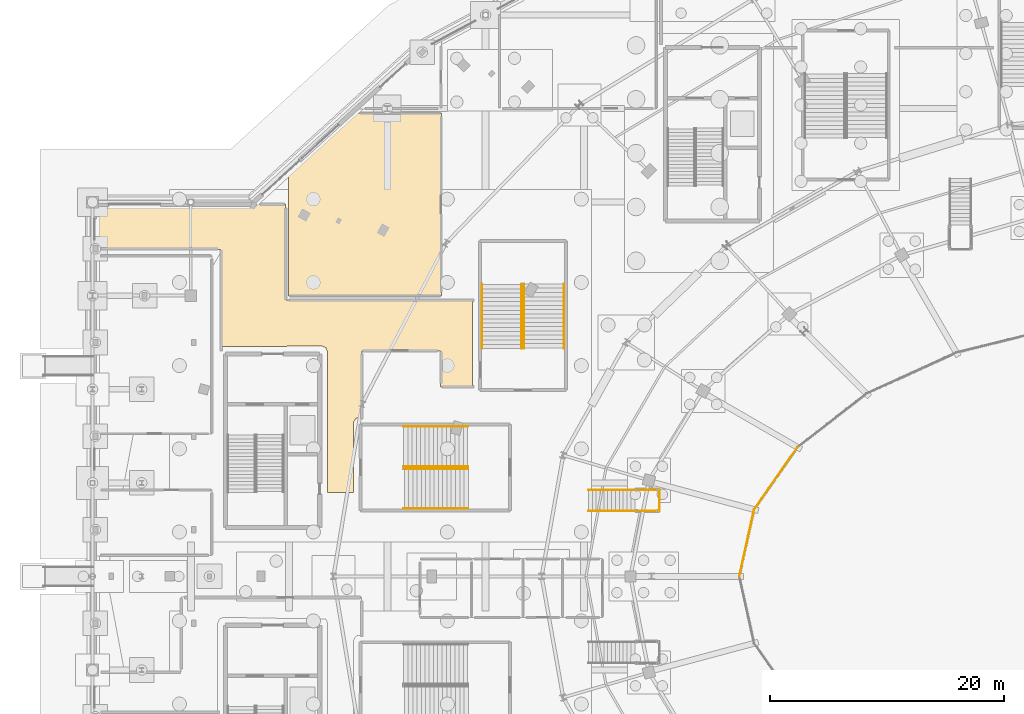
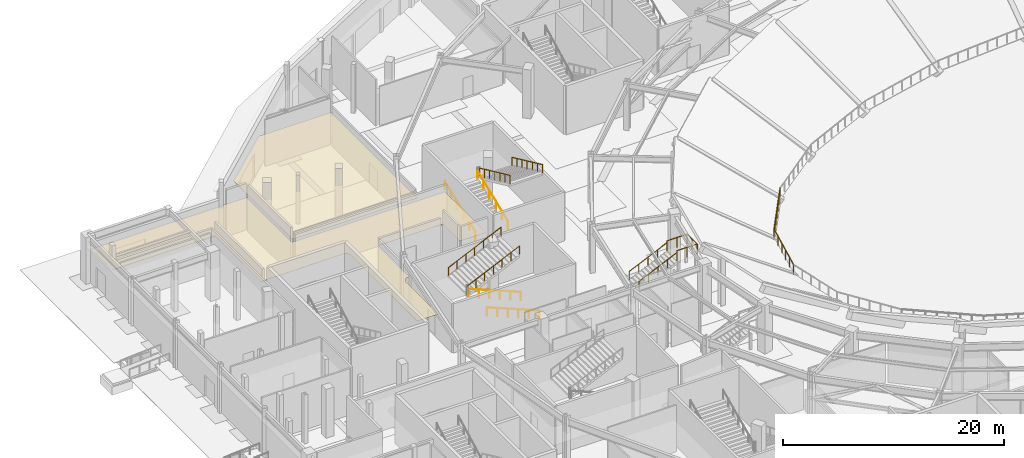
# One storey, part 77 of 93: 15 railings, 2 coverings.
"""IFC4 building model written with IfcOpenShell, lengths in metres."""

from ifc_helpers import new_model, si_unit, direction, frame, origin, origin_2d, place, context, subcontext, project, spatial, polyline, circle, outline, extrude, material, layer, layer_set, type_object, element, save


model = new_model("IFC4")

# Units and contexts
model_context = context("Model", 3, precision=1e-05, world=origin(), true_north=direction((0.0, 1.0)))
body_context = subcontext(model_context, "Body", "Model", "MODEL_VIEW")
ifc_project = project(units=[si_unit("LENGTHUNIT", "METRE"), si_unit("AREAUNIT", "SQUARE_METRE"), si_unit("VOLUMEUNIT", "CUBIC_METRE"), si_unit("PLANEANGLEUNIT", "RADIAN"), si_unit("MASSUNIT", "GRAM", prefix="KILO")], contexts=[model_context])

# Site, building, storey
site_placement = place(None, origin())
site = spatial("IfcSite", under=ifc_project, at=site_placement, CompositionType="ELEMENT")
building_placement = place(site_placement, origin())
building = spatial("IfcBuilding", under=site, at=building_placement, Name="Kalgoora Escarpment Arena", CompositionType="ELEMENT")
storey_placement = place(building_placement, origin())
storey = spatial("IfcBuildingStorey", under=building, at=storey_placement, Name="L00", CompositionType="ELEMENT", Elevation=0.0)

# Coverings
ifc_material_1 = material(Name="Perforated acoustic mineral-fibre ceiling tile")
ifc_layer = layer(ifc_material_1, 0.02490234375)
ifc_layer_set = layer_set([ifc_layer], Name="COV-CEIL-ACOUSTIC")
covering_type = type_object("IfcCoveringType", Name="COV-CEIL-ACOUSTIC", PredefinedType="CEILING", material=ifc_layer_set)
covering_1_placement = place(storey_placement, frame((0.0, 0.0, 3.47998046875)))
element("IfcCovering", 1, at=covering_1_placement, inside=storey, type_object=covering_type, Name="L00 Central Kitchen Commissary acoustic suspended ceiling", PredefinedType="CEILING", context=body_context, shape_type="SweptSolid", body=[
    extrude(outline(polyline([(29.839111328125, 87.9921875), (16.7646484375, 87.981201171875), (16.760009765625, 98.67578125), (22.205078125, 103.639892578125), (29.835205078125, 103.618896484375), (29.839111328125, 87.9921875)])), origin(), (0.0, 0.0, 1.0), 0.02490234375),
])
covering_2_placement = place(storey_placement, frame((0.0, 0.0, 3.47998046875)))
element("IfcCovering", 2, at=covering_2_placement, inside=storey, type_object=covering_type, Name="L00 North-West Protected Exit Passageway acoustic suspended ceiling", PredefinedType="CEILING", context=body_context, shape_type="SweptSolid", body=[
    extrude(outline(polyline([(0.219970703125, 91.9599609375), (0.199951171875, 95.800048828125), (16.515380859375, 95.8369140625), (16.5400390625, 87.639892578125), (32.5, 87.639892578125), (32.5, 80.159912109375), (29.76904296875, 80.174560546875), (29.760009765625, 83.260009765625), (23.0400390625, 83.260009765625), (23.0400390625, 77.60009765625), (22.522216796875, 77.515625), (22.302490234375, 77.14892578125), (22.300048828125, 71.159912109375), (20.10009765625, 71.159912109375), (20.10009765625, 83.199951171875), (19.95361328125, 83.5537109375), (19.60009765625, 83.699951171875), (10.9599609375, 83.638427734375), (10.9599609375, 91.9599609375), (0.219970703125, 91.9599609375)])), origin(), (0.0, 0.0, 1.0), 0.02490234375),
])

# Railings
ifc_material_2 = material(Name="Galvanised & powdercoated tubular steel", Category="steel")
railing_type_1 = type_object("IfcRailingType", Name="RAL-GUARD-1120", PredefinedType="GUARDRAIL", material=ifc_material_2)
for number, where, name in (
    (3, (46.360107421875, 69.60009765625, 1.949951171875), "Vomitory VST10 landing guard L"),
    (4, (46.360107421875, 71.39990234375, 1.949951171875), "Vomitory VST10 landing guard R"),
):
    element("IfcRailing", number, at=place(storey_placement, frame(where)), inside=storey, type_object=railing_type_1, Name=name, PredefinedType="GUARDRAIL", context=body_context, shape_type="SweptSolid", body=[
        extrude(circle(Radius=0.02392578125, at=origin_2d()), frame((0.0, 0.0, 1.09619140625), z_axis=(1.0, 0.0, 0.0), x_axis=(0.0, 1.0, 0.0)), (0.0, 0.0, 1.0), 2.099853515625),
        extrude(circle(Radius=0.02099609375, at=origin_2d()), origin(), (0.0, 0.0, 1.0), 1.072021484375),
        extrude(circle(Radius=0.02099609375, at=origin_2d()), frame((1.0498046875, 0.0, 0.0)), (0.0, 0.0, 1.0), 1.072021484375),
        extrude(circle(Radius=0.02099609375, at=origin_2d()), frame((2.099853515625, 0.0, 0.0)), (0.0, 0.0, 1.0), 1.072021484375),
    ])
railing_1_placement = place(storey_placement, frame((48.4599609375, 69.580078125, 1.949951171875)))
element("IfcRailing", 5, at=railing_1_placement, inside=storey, type_object=railing_type_1, Name="Vomitory VST10 landing end guard", PredefinedType="GUARDRAIL", context=body_context, shape_type="SweptSolid", body=[
    extrude(circle(Radius=0.02392578125, at=origin_2d()), frame((0.0, 0.0, 1.09619140625), z_axis=(0.0, 1.0, 0.0), x_axis=(-1.0, 0.0, 0.0)), (0.0, 0.0, 1.0), 1.83984375),
    extrude(circle(Radius=0.02099609375, at=origin_2d()), origin(), (0.0, 0.0, 1.0), 1.072021484375),
    extrude(circle(Radius=0.02099609375, at=origin_2d()), frame((0.0, 0.919921875, 0.0)), (0.0, 0.0, 1.0), 1.072021484375),
    extrude(circle(Radius=0.02099609375, at=origin_2d()), frame((0.0, 1.83984375, 0.0)), (0.0, 0.0, 1.0), 1.072021484375),
])
railing_2_placement = place(storey_placement, frame((60.2705078125, 75.050048828125, 0.679931640625)))
element("IfcRailing", 6, at=railing_2_placement, inside=storey, type_object=railing_type_1, Name="Lower tier front sightline guard 11", PredefinedType="GUARDRAIL", context=body_context, shape_type="SweptSolid", body=[
    extrude(circle(Radius=0.02392578125, at=origin_2d()), frame((0.0, 0.0, 1.09619140625), z_axis=(-0.570900302793, -0.821019393359, 0.0), x_axis=(0.821019393359, -0.570900302793, 0.0)), (0.0, 0.0, 1.0), 6.491943359375),
    extrude(circle(Radius=0.02099609375, at=origin_2d()), origin(), (0.0, 0.0, 1.0), 1.072021484375),
    extrude(circle(Radius=0.02099609375, at=origin_2d()), frame((-0.61767578125, -0.888427734375, 0.0)), (0.0, 0.0, 1.0), 1.072021484375),
    extrude(circle(Radius=0.02099609375, at=origin_2d()), frame((-1.2353515625, -1.776611328125, 0.0)), (0.0, 0.0, 1.0), 1.072021484375),
    extrude(circle(Radius=0.02099609375, at=origin_2d()), frame((-1.85302734375, -2.6650390625, 0.0)), (0.0, 0.0, 1.0), 1.072021484375),
    extrude(circle(Radius=0.02099609375, at=origin_2d()), frame((-2.470947265625, -3.553466796875, 0.0)), (0.0, 0.0, 1.0), 1.072021484375),
    extrude(circle(Radius=0.02099609375, at=origin_2d()), frame((-3.088623046875, -4.441650390625, 0.0)), (0.0, 0.0, 1.0), 1.072021484375),
    extrude(circle(Radius=0.02099609375, at=origin_2d()), frame((-3.706298828125, -5.330078125, 0.0)), (0.0, 0.0, 1.0), 1.072021484375),
])
railing_3_placement = place(storey_placement, frame((56.564208984375, 69.719970703125, 0.679931640625)))
element("IfcRailing", 7, at=railing_3_placement, inside=storey, type_object=railing_type_1, Name="Lower tier front sightline guard 12", PredefinedType="GUARDRAIL", context=body_context, shape_type="SweptSolid", body=[
    extrude(circle(Radius=0.02392578125, at=origin_2d()), frame((0.0, 0.0, 1.09619140625), z_axis=(-0.21580063573, -0.97643744583, 0.0), x_axis=(0.97643744583, -0.21580063573, 0.0)), (0.0, 0.0, 1.0), 5.85791015625),
    extrude(circle(Radius=0.02099609375, at=origin_2d()), origin(), (0.0, 0.0, 1.0), 1.072021484375),
    extrude(circle(Radius=0.02099609375, at=origin_2d()), frame((-0.2529296875, -1.14404296875, 0.0)), (0.0, 0.0, 1.0), 1.072021484375),
    extrude(circle(Radius=0.02099609375, at=origin_2d()), frame((-0.505615234375, -2.2880859375, 0.0)), (0.0, 0.0, 1.0), 1.072021484375),
    extrude(circle(Radius=0.02099609375, at=origin_2d()), frame((-0.758544921875, -3.431884765625, 0.0)), (0.0, 0.0, 1.0), 1.072021484375),
    extrude(circle(Radius=0.02099609375, at=origin_2d()), frame((-1.01123046875, -4.575927734375, 0.0)), (0.0, 0.0, 1.0), 1.072021484375),
    extrude(circle(Radius=0.02099609375, at=origin_2d()), frame((-1.26416015625, -5.719970703125, 0.0)), (0.0, 0.0, 1.0), 1.072021484375),
])
ifc_material_3 = material(Name="Brushed stainless steel 316 handrail", Category="steel")
railing_type_2 = type_object("IfcRailingType", Name="RAL-HAND-920", PredefinedType="HANDRAIL", material=ifc_material_3)
for number, where, name in (
    (8, (32.110107421875, 69.800048828125, 0.388916015625), "ST17 L00 pitched stair handrail F1L"),
    (9, (32.110107421875, 73.18505859375, 0.388916015625), "ST17 L00 pitched stair handrail F1R"),
):
    element("IfcRailing", number, at=place(storey_placement, frame(where)), inside=storey, type_object=railing_type_2, Name=name, PredefinedType="HANDRAIL", context=body_context, shape_type="SweptSolid", body=[
        extrude(circle(Radius=0.02392578125, at=origin_2d()), frame((0.0, 0.0, 0.89599609375), z_axis=(-0.924430832969, 0.0, 0.381349754236), x_axis=(0.0, -1.0, 0.0)), (0.0, 0.0, 1.0), 5.955078125),
        extrude(circle(Radius=0.02099609375, at=origin_2d()), origin(), (0.0, 0.0, 1.0), 0.871826171875),
        extrude(circle(Radius=0.02099609375, at=origin_2d()), frame((-1.10107421875, 0.0, 0.4541015625)), (0.0, 0.0, 1.0), 0.871826171875),
        extrude(circle(Radius=0.02099609375, at=origin_2d()), frame((-2.2021484375, 0.0, 0.908447265625)), (0.0, 0.0, 1.0), 0.871826171875),
        extrude(circle(Radius=0.02099609375, at=origin_2d()), frame((-3.302978515625, 0.0, 1.362548828125)), (0.0, 0.0, 1.0), 0.871826171875),
        extrude(circle(Radius=0.02099609375, at=origin_2d()), frame((-4.404052734375, 0.0, 1.81689453125)), (0.0, 0.0, 1.0), 0.871826171875),
        extrude(circle(Radius=0.02099609375, at=origin_2d()), frame((-5.505126953125, 0.0, 2.27099609375)), (0.0, 0.0, 1.0), 0.871826171875),
    ])
for number, where, name in (
    (10, (26.60498046875, 73.4150390625, 2.828857421875), "ST17 L00 pitched stair handrail F2L"),
    (11, (26.60498046875, 76.800048828125, 2.828857421875), "ST17 L00 pitched stair handrail F2R"),
):
    element("IfcRailing", number, at=place(storey_placement, frame(where)), inside=storey, type_object=railing_type_2, Name=name, PredefinedType="HANDRAIL", context=body_context, shape_type="SweptSolid", body=[
        extrude(circle(Radius=0.02392578125, at=origin_2d()), frame((0.0, 0.0, 0.89599609375), z_axis=(0.908559891483, 0.0, 0.417754621265), x_axis=(0.0, 1.0, 0.0)), (0.0, 0.0, 1.0), 6.05908203125),
        extrude(circle(Radius=0.02099609375, at=origin_2d()), origin(), (0.0, 0.0, 1.0), 0.871826171875),
        extrude(circle(Radius=0.02099609375, at=origin_2d()), frame((0.91748046875, 0.0, 0.421875)), (0.0, 0.0, 1.0), 0.871826171875),
        extrude(circle(Radius=0.02099609375, at=origin_2d()), frame((1.8349609375, 0.0, 0.84375)), (0.0, 0.0, 1.0), 0.871826171875),
        extrude(circle(Radius=0.02099609375, at=origin_2d()), frame((2.75244140625, 0.0, 1.265625)), (0.0, 0.0, 1.0), 0.871826171875),
        extrude(circle(Radius=0.02099609375, at=origin_2d()), frame((3.670166015625, 0.0, 1.6875)), (0.0, 0.0, 1.0), 0.871826171875),
        extrude(circle(Radius=0.02099609375, at=origin_2d()), frame((4.587646484375, 0.0, 2.109375)), (0.0, 0.0, 1.0), 0.871826171875),
        extrude(circle(Radius=0.02099609375, at=origin_2d()), frame((5.505126953125, 0.0, 2.53125)), (0.0, 0.0, 1.0), 0.871826171875),
    ])
for number, where, name in (
    (12, (33.300048828125, 83.489990234375, 0.388916015625), "ST19 L00 pitched stair handrail F1L"),
    (13, (36.695068359375, 83.489990234375, 0.388916015625), "ST19 L00 pitched stair handrail F1R"),
):
    element("IfcRailing", number, at=place(storey_placement, frame(where)), inside=storey, type_object=railing_type_2, Name=name, PredefinedType="HANDRAIL", context=body_context, shape_type="SweptSolid", body=[
        extrude(circle(Radius=0.02392578125, at=origin_2d()), frame((0.0, 0.0, 0.89599609375), z_axis=(0.0, 0.924430832969, 0.381349754236), x_axis=(-1.0, 0.0, 0.0)), (0.0, 0.0, 1.0), 5.955078125),
        extrude(circle(Radius=0.02099609375, at=origin_2d()), origin(), (0.0, 0.0, 1.0), 0.871826171875),
        extrude(circle(Radius=0.02099609375, at=origin_2d()), frame((0.0, 1.10107421875, 0.4541015625)), (0.0, 0.0, 1.0), 0.871826171875),
        extrude(circle(Radius=0.02099609375, at=origin_2d()), frame((0.0, 2.2021484375, 0.908447265625)), (0.0, 0.0, 1.0), 0.871826171875),
        extrude(circle(Radius=0.02099609375, at=origin_2d()), frame((0.0, 3.302978515625, 1.362548828125)), (0.0, 0.0, 1.0), 0.871826171875),
        extrude(circle(Radius=0.02099609375, at=origin_2d()), frame((0.0, 4.404052734375, 1.81689453125)), (0.0, 0.0, 1.0), 0.871826171875),
        extrude(circle(Radius=0.02099609375, at=origin_2d()), frame((0.0, 5.505126953125, 2.27099609375)), (0.0, 0.0, 1.0), 0.871826171875),
    ])
for number, where, name in (
    (14, (36.905029296875, 88.9951171875, 2.828857421875), "ST19 L00 pitched stair handrail F2L"),
    (15, (40.300048828125, 88.9951171875, 2.828857421875), "ST19 L00 pitched stair handrail F2R"),
):
    element("IfcRailing", number, at=place(storey_placement, frame(where)), inside=storey, type_object=railing_type_2, Name=name, PredefinedType="HANDRAIL", context=body_context, shape_type="SweptSolid", body=[
        extrude(circle(Radius=0.02392578125, at=origin_2d()), frame((0.0, 0.0, 0.89599609375), z_axis=(0.0, -0.908559891483, 0.417754621265), x_axis=(1.0, 0.0, 0.0)), (0.0, 0.0, 1.0), 6.05908203125),
        extrude(circle(Radius=0.02099609375, at=origin_2d()), origin(), (0.0, 0.0, 1.0), 0.871826171875),
        extrude(circle(Radius=0.02099609375, at=origin_2d()), frame((0.0, -0.91748046875, 0.421875)), (0.0, 0.0, 1.0), 0.871826171875),
        extrude(circle(Radius=0.02099609375, at=origin_2d()), frame((0.0, -1.8349609375, 0.84375)), (0.0, 0.0, 1.0), 0.871826171875),
        extrude(circle(Radius=0.02099609375, at=origin_2d()), frame((0.0, -2.75244140625, 1.265625)), (0.0, 0.0, 1.0), 0.871826171875),
        extrude(circle(Radius=0.02099609375, at=origin_2d()), frame((0.0, -3.670166015625, 1.6875)), (0.0, 0.0, 1.0), 0.871826171875),
        extrude(circle(Radius=0.02099609375, at=origin_2d()), frame((0.0, -4.587646484375, 2.109375)), (0.0, 0.0, 1.0), 0.871826171875),
        extrude(circle(Radius=0.02099609375, at=origin_2d()), frame((0.0, -5.505126953125, 2.53125)), (0.0, 0.0, 1.0), 0.871826171875),
    ])
for number, where, name in (
    (16, (42.39990234375, 69.60009765625, 0.14990234375), "Vomitory VST10 handrail L"),
    (17, (42.39990234375, 71.39990234375, 0.14990234375), "Vomitory VST10 handrail R"),
):
    element("IfcRailing", number, at=place(storey_placement, frame(where)), inside=storey, type_object=railing_type_2, Name=name, PredefinedType="HANDRAIL", context=body_context, shape_type="SweptSolid", body=[
        extrude(circle(Radius=0.02392578125, at=origin_2d()), frame((0.0, 0.0, 0.89599609375), z_axis=(0.910370321461, 0.0, 0.413794487401), x_axis=(0.0, 1.0, 0.0)), (0.0, 0.0, 1.0), 4.35009765625),
        extrude(circle(Radius=0.02099609375, at=origin_2d()), origin(), (0.0, 0.0, 1.0), 0.871826171875),
        extrude(circle(Radius=0.02099609375, at=origin_2d()), frame((0.989990234375, 0.0, 0.449951171875)), (0.0, 0.0, 1.0), 0.871826171875),
        extrude(circle(Radius=0.02099609375, at=origin_2d()), frame((1.97998046875, 0.0, 0.89990234375)), (0.0, 0.0, 1.0), 0.871826171875),
        extrude(circle(Radius=0.02099609375, at=origin_2d()), frame((2.97021484375, 0.0, 1.35009765625)), (0.0, 0.0, 1.0), 0.871826171875),
        extrude(circle(Radius=0.02099609375, at=origin_2d()), frame((3.960205078125, 0.0, 1.800048828125)), (0.0, 0.0, 1.0), 0.871826171875),
    ])

save(model, "model.ifc")
